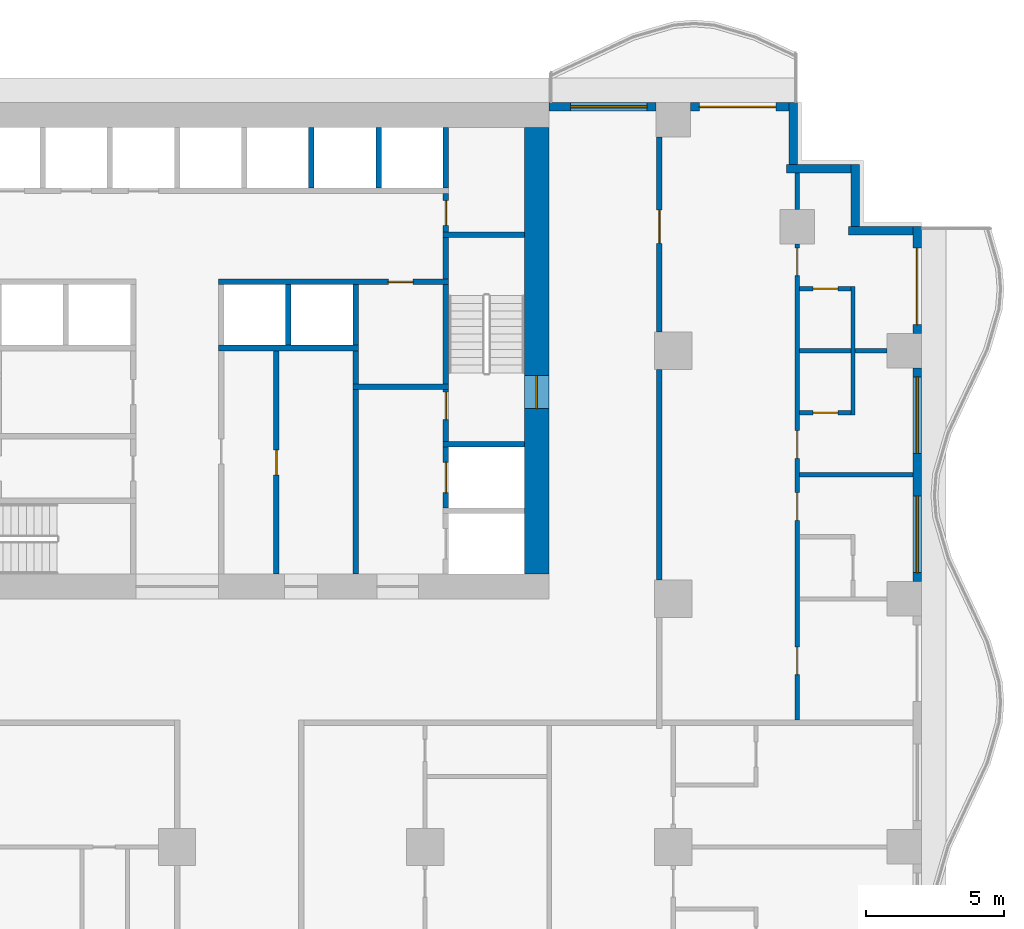
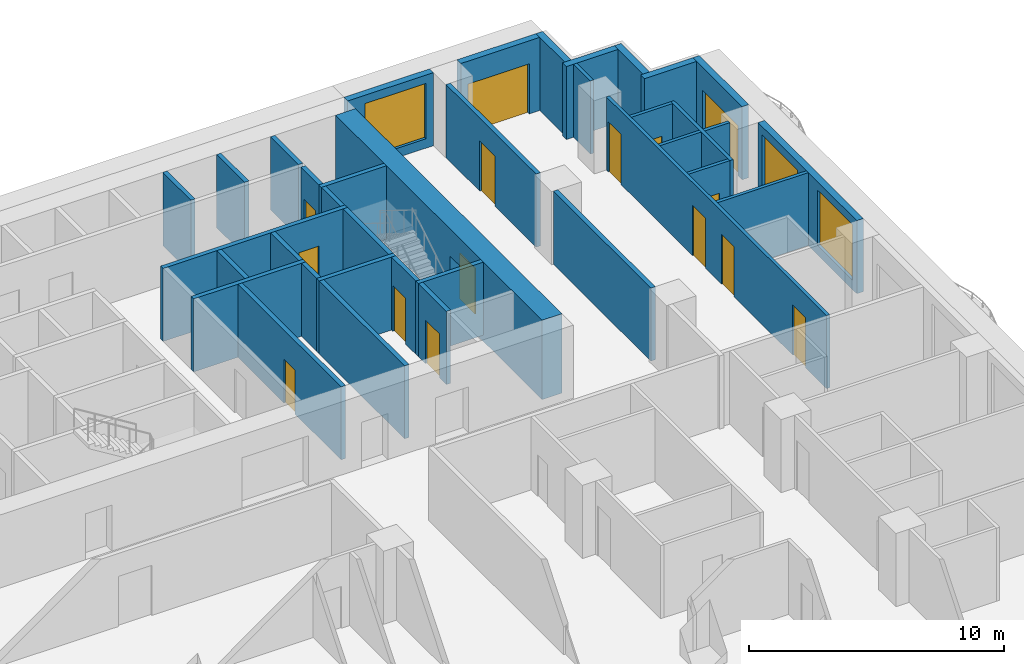
# One storey, part 6 of 14: 37 walls, 15 doors, 3 windows, 18 openings.
"""IFC4 building model written with IfcOpenShell, lengths in metres."""

from ifc_helpers import new_model, si_unit, direction, frame, frame_2d, origin, place, context, subcontext, project, spatial, rectangle, extrude, material, layer, layer_set, type_object, element, fill, save


model = new_model("IFC4")

# Units and contexts
model_context = context("Model", 3, precision=1e-05, world=origin(), true_north=direction((0.0, 1.0)))
body_context = subcontext(model_context, "Body", "Model", "MODEL_VIEW")
ifc_project = project(units=[si_unit("LENGTHUNIT", "METRE"), si_unit("AREAUNIT", "SQUARE_METRE"), si_unit("VOLUMEUNIT", "CUBIC_METRE"), si_unit("PLANEANGLEUNIT", "RADIAN"), si_unit("MASSUNIT", "GRAM", prefix="KILO")], contexts=[model_context])

# Site, building, storey
site_placement = place(None, origin())
site = spatial("IfcSite", under=ifc_project, at=site_placement, CompositionType="ELEMENT")
building_placement = place(site_placement, origin())
building = spatial("IfcBuilding", under=site, at=building_placement, Name="Orbiselva Terraces", CompositionType="ELEMENT")
storey_placement = place(building_placement, frame((0.0, 0.0, 107.4)))
storey = spatial("IfcBuildingStorey", under=building, at=storey_placement, Name="L27", CompositionType="ELEMENT", Elevation=107.4)

# Wall, opening, door
ifc_material_1 = material(Name="Concrete C80/95", Category="concrete")
ifc_layer_1 = layer(ifc_material_1, 0.9)
ifc_layer_set_1 = layer_set([ifc_layer_1], Name="Concrete C80/95")
wall_type_1 = type_object("IfcWallType", Name="CORE WALL 900", PredefinedType="SHEAR", material=ifc_layer_set_1)
wall_1_placement = place(storey_placement, frame((13.05, 5.4, -0.3), z_axis=(0.0, 0.0, 1.0), x_axis=(0.0, 1.0, 0.0)))
wall_1 = element("IfcWall", 1, at=wall_1_placement, inside=storey, type_object=wall_type_1, Name="Core wall L27 east", PredefinedType="SHEAR", context=body_context, shape_type="SweptSolid", body=[
    extrude(rectangle(XDim=16.2, YDim=0.9, at=frame_2d((8.1, 0.0))), origin(), (0.0, 0.0, 1.0), 3.8),
])
opening_1_placement = place(wall_1_placement, frame((6.0, 0.0, 0.3)))
opening_1 = element("IfcOpeningElement", 2, at=opening_1_placement, cuts=wall_1, Name="Opening DS1200", PredefinedType="OPENING", context=body_context, shape_type="SweptSolid", body=[
    extrude(rectangle(XDim=1.2, YDim=2.2, at=frame_2d((0.6, 1.1))), frame((0.0, 0.46, 0.0), z_axis=(0.0, -1.0, 0.0), x_axis=(1.0, 0.0, 0.0)), (0.0, 0.0, 1.0), 0.92),
])
ifc_material_2 = material(Name="Steel fire door", Category="steel")
door_type_1 = type_object("IfcDoorType", Name="STAIR DOOR 1200", OperationType="NOTDEFINED", PredefinedType="DOOR", material=ifc_material_2)
door_1_placement = place(opening_1_placement, frame((1.2, 0.0, 0.0), z_axis=(0.0, 0.0, 1.0), x_axis=(-1.0, 0.0, 0.0)))
door_1 = element("IfcDoor", 3, at=door_1_placement, inside=storey, type_object=door_type_1, Name="L27 EXIT STAIR S2 door", OperationType="SINGLE_SWING_LEFT", OverallHeight=2.2, OverallWidth=1.2, PredefinedType="DOOR", context=body_context, shape_type="SweptSolid", body=[
    extrude(rectangle(XDim=1.2, YDim=2.2, at=frame_2d((0.6, 1.1))), frame((0.0, 0.025, 0.0), z_axis=(0.0, -1.0, 0.0), x_axis=(1.0, 0.0, 0.0)), (0.0, 0.0, 1.0), 0.05),
])
fill(opening_1, door_1)

ifc_material_3 = material(Name="Masonry blockwork", Category="masonry")
ifc_layer_2 = layer(ifc_material_3, 0.2)
ifc_layer_set_2 = layer_set([ifc_layer_2], Name="Masonry blockwork")
wall_type_2 = type_object("IfcWallType", Name="CORE-WALL-PARTITION-200", PredefinedType="PARTITIONING", material=ifc_layer_set_2)
wall_2_placement = place(storey_placement, frame((3.6, 13.5, 0.0), z_axis=(0.0, 0.0, 1.0), x_axis=(0.0, -1.0, 0.0)))
wall_2 = element("IfcWall", 4, at=wall_2_placement, inside=storey, type_object=wall_type_2, Name="L27 core wall 34", PredefinedType="PARTITIONING", context=body_context, shape_type="SweptSolid", body=[
    extrude(rectangle(XDim=8.1, YDim=0.2, at=frame_2d((4.05, 0.0))), origin(), (0.0, 0.0, 1.0), 3.5),
])
opening_2_placement = place(wall_2_placement, frame((3.6, 0.0, 0.0)))
opening_2 = element("IfcOpeningElement", 5, at=opening_2_placement, cuts=wall_2, Name="Opening DR900", PredefinedType="OPENING", context=body_context, shape_type="SweptSolid", body=[
    extrude(rectangle(XDim=0.9, YDim=2.1, at=frame_2d((0.45, 1.05))), frame((0.0, 0.11, 0.0), z_axis=(0.0, -1.0, 0.0), x_axis=(1.0, 0.0, 0.0)), (0.0, 0.0, 1.0), 0.22),
])
door_type_2 = type_object("IfcDoorType", Name="ROOM DOOR 900", OperationType="NOTDEFINED", PredefinedType="DOOR", material=ifc_material_2)
door_2_placement = place(opening_2_placement, origin())
door_2 = element("IfcDoor", 6, at=door_2_placement, inside=storey, type_object=door_type_2, Name="L27 SERVICE ROOM door", OperationType="SINGLE_SWING_RIGHT", OverallHeight=2.1, OverallWidth=0.9, PredefinedType="DOOR", context=body_context, shape_type="SweptSolid", body=[
    extrude(rectangle(XDim=0.9, YDim=2.1, at=frame_2d((0.45, 1.05))), frame((0.0, 0.025, 0.0), z_axis=(0.0, -1.0, 0.0), x_axis=(1.0, 0.0, 0.0)), (0.0, 0.0, 1.0), 0.05),
])
fill(opening_2, door_2)

# Wall
wall_3_placement = place(storey_placement, frame((6.475, 12.3, 0.0), z_axis=(0.0, 0.0, 1.0), x_axis=(0.0, 1.0, 0.0)))
element("IfcWall", 7, at=wall_3_placement, inside=storey, type_object=wall_type_2, Name="L27 core wall 39", PredefinedType="PARTITIONING", context=body_context, shape_type="SweptSolid", body=[
    extrude(rectangle(XDim=1.2, YDim=0.2, at=frame_2d((0.6, 0.0))), origin(), (0.0, 0.0, 1.0), 3.5),
])

# Wall, opening, door
wall_4_placement = place(storey_placement, frame((9.75, 19.2, 0.0), z_axis=(0.0, 0.0, 1.0), x_axis=(0.0, -1.0, 0.0)))
wall_4 = element("IfcWall", 8, at=wall_4_placement, inside=storey, type_object=wall_type_2, Name="L27 core wall 50", PredefinedType="PARTITIONING", context=body_context, shape_type="SweptSolid", body=[
    extrude(rectangle(XDim=1.4, YDim=0.2, at=frame_2d((0.7, 0.0))), origin(), (0.0, 0.0, 1.0), 3.5),
])
opening_3_placement = place(wall_4_placement, frame((0.25, 0.0, 0.0)))
opening_3 = element("IfcOpeningElement", 9, at=opening_3_placement, cuts=wall_4, Name="Opening DR900", PredefinedType="OPENING", context=body_context, shape_type="SweptSolid", body=[
    extrude(rectangle(XDim=0.9, YDim=2.1, at=frame_2d((0.45, 1.05))), frame((0.0, 0.11, 0.0), z_axis=(0.0, -1.0, 0.0), x_axis=(1.0, 0.0, 0.0)), (0.0, 0.0, 1.0), 0.22),
])
door_3_placement = place(opening_3_placement, origin())
door_3 = element("IfcDoor", 10, at=door_3_placement, inside=storey, type_object=door_type_2, Name="L27 COMMS RISER ROOM door", OperationType="SINGLE_SWING_RIGHT", OverallHeight=2.1, OverallWidth=0.9, PredefinedType="DOOR", context=body_context, shape_type="SweptSolid", body=[
    extrude(rectangle(XDim=0.9, YDim=2.1, at=frame_2d((0.45, 1.05))), frame((0.0, 0.025, 0.0), z_axis=(0.0, -1.0, 0.0), x_axis=(1.0, 0.0, 0.0)), (0.0, 0.0, 1.0), 0.05),
])
fill(opening_3, door_3)

# Walls
ifc_material_4 = material(Name="Concrete C40/50", Category="concrete")
ifc_layer_3 = layer(ifc_material_4, 0.2)
ifc_layer_set_3 = layer_set([ifc_layer_3], Name="Concrete C40/50")
wall_type_3 = type_object("IfcWallType", Name="CORE-WALL-SHAFT-200", PredefinedType="PARTITIONING", material=ifc_layer_set_3)
for number, where, z_axis, x_axis, name in (
    (11, (4.0375, 13.7, 0.0), (0.0, 0.0, 1.0), (0.0, 1.0, 0.0), "L27 core wall 35"),
    (12, (4.875, 19.4, 0.0), (0.0, 0.0, 1.0), (0.0, 1.0, 0.0), "L27 core wall 36"),
    (13, (6.475, 13.7, 0.0), (0.0, 0.0, 1.0), (0.0, 1.0, 0.0), "L27 core wall 40"),
    (14, (7.3125, 19.4, 0.0), (0.0, 0.0, 1.0), (0.0, 1.0, 0.0), "L27 core wall 41"),
    (15, (9.75, 19.4, 0.0), (0.0, 0.0, 1.0), (0.0, 1.0, 0.0), "L27 core wall 51"),
):
    element("IfcWall", number, at=place(storey_placement, frame(where, z_axis=z_axis, x_axis=x_axis)), inside=storey, type_object=wall_type_3, Name=name, PredefinedType="PARTITIONING", context=body_context, shape_type="SweptSolid", body=[
        extrude(rectangle(XDim=2.2, YDim=0.2, at=frame_2d((1.1, 0.0))), origin(), (0.0, 0.0, 1.0), 3.5),
    ])
ifc_material_5 = material(Name="Concrete C60/75", Category="concrete")
ifc_layer_4 = layer(ifc_material_5, 0.2)
ifc_layer_set_4 = layer_set([ifc_layer_4], Name="Concrete C60/75")
wall_type_4 = type_object("IfcWallType", Name="CORE-WALL-SHEAR-200", PredefinedType="SHEAR", material=ifc_layer_set_4)
wall_5_placement = place(storey_placement, frame((1.5, 13.6, 0.0), z_axis=(0.0, 0.0, 1.0), x_axis=(1.0, 0.0, 0.0)))
element("IfcWall", 16, at=wall_5_placement, inside=storey, type_object=wall_type_4, Name="L27 core wall 30", PredefinedType="SHEAR", context=body_context, shape_type="SweptSolid", body=[
    extrude(rectangle(XDim=5.075, YDim=0.2, at=frame_2d((2.5375, 0.0))), origin(), (0.0, 0.0, 1.0), 3.5),
])

# Wall, opening, door
wall_6_placement = place(storey_placement, frame((9.85, 16.0, 0.0), z_axis=(0.0, 0.0, 1.0), x_axis=(-1.0, 0.0, 0.0)))
wall_6 = element("IfcWall", 17, at=wall_6_placement, inside=storey, type_object=wall_type_4, Name="L27 core wall 32", PredefinedType="SHEAR", context=body_context, shape_type="SweptSolid", body=[
    extrude(rectangle(XDim=8.35, YDim=0.2, at=frame_2d((4.175, 0.0))), origin(), (0.0, 0.0, 1.0), 3.5),
])
opening_4_placement = place(wall_6_placement, frame((1.2875, 0.0, 0.0)))
opening_4 = element("IfcOpeningElement", 18, at=opening_4_placement, cuts=wall_6, Name="Opening DR900", PredefinedType="OPENING", context=body_context, shape_type="SweptSolid", body=[
    extrude(rectangle(XDim=0.9, YDim=2.1, at=frame_2d((0.45, 1.05))), frame((0.0, 0.11, 0.0), z_axis=(0.0, -1.0, 0.0), x_axis=(1.0, 0.0, 0.0)), (0.0, 0.0, 1.0), 0.22),
])
door_4_placement = place(opening_4_placement, origin())
door_4 = element("IfcDoor", 19, at=door_4_placement, inside=storey, type_object=door_type_2, Name="L27 PIPE RISER ROOM door", OperationType="SINGLE_SWING_LEFT", OverallHeight=2.1, OverallWidth=0.9, PredefinedType="DOOR", context=body_context, shape_type="SweptSolid", body=[
    extrude(rectangle(XDim=0.9, YDim=2.1, at=frame_2d((0.45, 1.05))), frame((0.0, 0.025, 0.0), z_axis=(0.0, -1.0, 0.0), x_axis=(1.0, 0.0, 0.0)), (0.0, 0.0, 1.0), 0.05),
])
fill(opening_4, door_4)

# Walls
wall_7_placement = place(storey_placement, frame((6.475, 5.4, 0.0), z_axis=(0.0, 0.0, 1.0), x_axis=(0.0, 1.0, 0.0)))
element("IfcWall", 20, at=wall_7_placement, inside=storey, type_object=wall_type_4, Name="L27 core wall 37", PredefinedType="SHEAR", context=body_context, shape_type="SweptSolid", body=[
    extrude(rectangle(XDim=6.7, YDim=0.2, at=frame_2d((3.35, 0.0))), origin(), (0.0, 0.0, 1.0), 3.5),
])
wall_8_placement = place(storey_placement, frame((6.375, 12.2, 0.0), z_axis=(0.0, 0.0, 1.0), x_axis=(1.0, 0.0, 0.0)))
element("IfcWall", 21, at=wall_8_placement, inside=storey, type_object=wall_type_4, Name="L27 core wall 38", PredefinedType="SHEAR", context=body_context, shape_type="SweptSolid", body=[
    extrude(rectangle(XDim=3.475, YDim=0.2, at=frame_2d((1.7375, 0.0))), origin(), (0.0, 0.0, 1.0), 3.5),
])

# Wall, opening, door
wall_9_placement = place(storey_placement, frame((9.75, 7.8, 0.0), z_axis=(0.0, 0.0, 1.0), x_axis=(0.0, 1.0, 0.0)))
wall_9 = element("IfcWall", 22, at=wall_9_placement, inside=storey, type_object=wall_type_4, Name="L27 core wall 44", PredefinedType="SHEAR", context=body_context, shape_type="SweptSolid", body=[
    extrude(rectangle(XDim=2.2, YDim=0.2, at=frame_2d((1.1, 0.0))), origin(), (0.0, 0.0, 1.0), 3.5),
])
opening_5_placement = place(wall_9_placement, frame((0.55, 0.0, 0.0)))
opening_5 = element("IfcOpeningElement", 23, at=opening_5_placement, cuts=wall_9, Name="Opening LD-FF2", PredefinedType="OPENING", context=body_context, shape_type="SweptSolid", body=[
    extrude(rectangle(XDim=1.1, YDim=2.1, at=frame_2d((0.55, 1.05))), frame((0.0, 0.11, 0.0), z_axis=(0.0, -1.0, 0.0), x_axis=(1.0, 0.0, 0.0)), (0.0, 0.0, 1.0), 0.22),
])
ifc_material_6 = material(Name="Stainless steel landing door", Category="steel")
door_type_3 = type_object("IfcDoorType", Name="LANDING DOOR 1100", OperationType="SLIDING_TO_LEFT", PredefinedType="DOOR", material=ifc_material_6)
door_5_placement = place(opening_5_placement, origin())
door_5 = element("IfcDoor", 24, at=door_5_placement, inside=storey, type_object=door_type_3, Name="L27 landing door FF2", OperationType="SLIDING_TO_RIGHT", OverallHeight=2.1, OverallWidth=1.1, PredefinedType="DOOR", context=body_context, shape_type="SweptSolid", body=[
    extrude(rectangle(XDim=1.1, YDim=2.1, at=frame_2d((0.55, 1.05))), frame((0.0, 0.025, 0.0), z_axis=(0.0, -1.0, 0.0), x_axis=(1.0, 0.0, 0.0)), (0.0, 0.0, 1.0), 0.05),
])
fill(opening_5, door_5)

# Wall
wall_10_placement = place(storey_placement, frame((9.65, 10.1, 0.0), z_axis=(0.0, 0.0, 1.0), x_axis=(1.0, 0.0, 0.0)))
element("IfcWall", 25, at=wall_10_placement, inside=storey, type_object=wall_type_4, Name="L27 core wall 45", PredefinedType="SHEAR", context=body_context, shape_type="SweptSolid", body=[
    extrude(rectangle(XDim=2.95, YDim=0.2, at=frame_2d((1.475, 0.0))), origin(), (0.0, 0.0, 1.0), 3.5),
])

# Wall, opening, door
wall_11_placement = place(storey_placement, frame((9.75, 12.1, 0.0), z_axis=(0.0, 0.0, 1.0), x_axis=(0.0, -1.0, 0.0)))
wall_11 = element("IfcWall", 26, at=wall_11_placement, inside=storey, type_object=wall_type_4, Name="L27 core wall 46", PredefinedType="SHEAR", context=body_context, shape_type="SweptSolid", body=[
    extrude(rectangle(XDim=1.9, YDim=0.2, at=frame_2d((0.95, 0.0))), origin(), (0.0, 0.0, 1.0), 3.5),
])
opening_6_placement = place(wall_11_placement, frame((0.1, 0.0, 0.0)))
opening_6 = element("IfcOpeningElement", 27, at=opening_6_placement, cuts=wall_11, Name="Opening DS1000", PredefinedType="OPENING", context=body_context, shape_type="SweptSolid", body=[
    extrude(rectangle(XDim=1.0, YDim=2.2, at=frame_2d((0.5, 1.1))), frame((0.0, 0.11, 0.0), z_axis=(0.0, -1.0, 0.0), x_axis=(1.0, 0.0, 0.0)), (0.0, 0.0, 1.0), 0.22),
])
door_type_4 = type_object("IfcDoorType", Name="STAIR DOOR 1000", OperationType="NOTDEFINED", PredefinedType="DOOR", material=ifc_material_2)
door_6_placement = place(opening_6_placement, origin())
door_6 = element("IfcDoor", 28, at=door_6_placement, inside=storey, type_object=door_type_4, Name="L27 FIRE-FIGHTING LOBBY TO EXIT STAIR S2 door", OperationType="SINGLE_SWING_LEFT", OverallHeight=2.2, OverallWidth=1.0, PredefinedType="DOOR", context=body_context, shape_type="SweptSolid", body=[
    extrude(rectangle(XDim=1.0, YDim=2.2, at=frame_2d((0.5, 1.1))), frame((0.0, 0.025, 0.0), z_axis=(0.0, -1.0, 0.0), x_axis=(1.0, 0.0, 0.0)), (0.0, 0.0, 1.0), 0.05),
])
fill(opening_6, door_6)

# Walls
wall_12_placement = place(storey_placement, frame((9.75, 12.3, 0.0), z_axis=(0.0, 0.0, 1.0), x_axis=(0.0, 1.0, 0.0)))
element("IfcWall", 29, at=wall_12_placement, inside=storey, type_object=wall_type_4, Name="L27 core wall 47", PredefinedType="SHEAR", context=body_context, shape_type="SweptSolid", body=[
    extrude(rectangle(XDim=3.6, YDim=0.2, at=frame_2d((1.8, 0.0))), origin(), (0.0, 0.0, 1.0), 3.5),
])
wall_13_placement = place(storey_placement, frame((9.75, 16.1, 0.0), z_axis=(0.0, 0.0, 1.0), x_axis=(0.0, 1.0, 0.0)))
element("IfcWall", 30, at=wall_13_placement, inside=storey, type_object=wall_type_4, Name="L27 core wall 48", PredefinedType="SHEAR", context=body_context, shape_type="SweptSolid", body=[
    extrude(rectangle(XDim=1.5, YDim=0.2, at=frame_2d((0.75, 0.0))), origin(), (0.0, 0.0, 1.0), 3.5),
])
wall_14_placement = place(storey_placement, frame((9.65, 17.7, 0.0), z_axis=(0.0, 0.0, 1.0), x_axis=(1.0, 0.0, 0.0)))
element("IfcWall", 31, at=wall_14_placement, inside=storey, type_object=wall_type_4, Name="L27 core wall 49", PredefinedType="SHEAR", context=body_context, shape_type="SweptSolid", body=[
    extrude(rectangle(XDim=2.95, YDim=0.2, at=frame_2d((1.475, 0.0))), origin(), (0.0, 0.0, 1.0), 3.5),
])

# Wall, openings, windows
ifc_material_7 = material(Name="Terracotta cladding on masonry backing", Category="masonry")
ifc_layer_5 = layer(ifc_material_7, 0.3)
ifc_layer_set_5 = layer_set([ifc_layer_5], Name="Terracotta cladding on masonry backing")
wall_type_5 = type_object("IfcWallType", Name="ENV-WALL-TERRACOTTA-300", PredefinedType="SOLIDWALL", material=ifc_layer_set_5)
wall_15_placement = place(storey_placement, frame((26.85, 12.875, 0.0), z_axis=(0.0, 0.0, 1.0), x_axis=(0.0, -1.0, 0.0)))
wall_15 = element("IfcWall", 32, at=wall_15_placement, inside=storey, type_object=wall_type_5, Name="Facade wall L27 E", PredefinedType="SOLIDWALL", context=body_context, shape_type="SweptSolid", body=[
    extrude(rectangle(XDim=7.75, YDim=0.3, at=frame_2d((3.875, 0.0))), origin(), (0.0, 0.0, 1.0), 3.5),
])
opening_7_placement = place(wall_15_placement, frame((4.65, 0.0, 0.45)))
opening_7 = element("IfcOpeningElement", 33, at=opening_7_placement, cuts=wall_15, Name="Opening WN6", PredefinedType="OPENING", context=body_context, shape_type="SweptSolid", body=[
    extrude(rectangle(XDim=2.775, YDim=2.65, at=frame_2d((1.3875, 1.325))), frame((0.0, 0.16, 0.0), z_axis=(0.0, -1.0, 0.0), x_axis=(1.0, 0.0, 0.0)), (0.0, 0.0, 1.0), 0.32),
])
opening_8_placement = place(wall_15_placement, frame((0.325, 0.0, 0.45)))
opening_8 = element("IfcOpeningElement", 34, at=opening_8_placement, cuts=wall_15, Name="Opening WN6", PredefinedType="OPENING", context=body_context, shape_type="SweptSolid", body=[
    extrude(rectangle(XDim=2.775, YDim=2.65, at=frame_2d((1.3875, 1.325))), frame((0.0, 0.16, 0.0), z_axis=(0.0, -1.0, 0.0), x_axis=(1.0, 0.0, 0.0)), (0.0, 0.0, 1.0), 0.32),
])
ifc_material_8 = material(Name="Clear low-e glazing in aluminium frame", Category="aluminium")
window_type = type_object("IfcWindowType", Name="WINDOW 2775 X 2650 S450", PartitioningType="TRIPLE_PANEL_VERTICAL", PredefinedType="WINDOW", material=ifc_material_8)
window_1_placement = place(opening_7_placement, origin())
window_1 = element("IfcWindow", 35, at=window_1_placement, inside=storey, type_object=window_type, Name="Window L27 E", OverallHeight=2.65, OverallWidth=2.775, PartitioningType="SINGLE_PANEL", PredefinedType="WINDOW", context=body_context, shape_type="SweptSolid", body=[
    extrude(rectangle(XDim=2.775, YDim=2.65, at=frame_2d((1.3875, 1.325))), frame((0.0, 0.03, 0.0), z_axis=(0.0, -1.0, 0.0), x_axis=(1.0, 0.0, 0.0)), (0.0, 0.0, 1.0), 0.06),
])
fill(opening_7, window_1)
window_2_placement = place(opening_8_placement, origin())
window_2 = element("IfcWindow", 36, at=window_2_placement, inside=storey, type_object=window_type, Name="Window L27 E", OverallHeight=2.65, OverallWidth=2.775, PartitioningType="SINGLE_PANEL", PredefinedType="WINDOW", context=body_context, shape_type="SweptSolid", body=[
    extrude(rectangle(XDim=2.775, YDim=2.65, at=frame_2d((1.3875, 1.325))), frame((0.0, 0.03, 0.0), z_axis=(0.0, -1.0, 0.0), x_axis=(1.0, 0.0, 0.0)), (0.0, 0.0, 1.0), 0.06),
])
fill(opening_8, window_2)

# Wall, opening, door
wall_16_placement = place(storey_placement, frame((26.85, 18.0, 0.0), z_axis=(0.0, 0.0, 1.0), x_axis=(0.0, -1.0, 0.0)))
wall_16 = element("IfcWall", 37, at=wall_16_placement, inside=storey, type_object=wall_type_5, Name="Facade wall L27 E", PredefinedType="SOLIDWALL", context=body_context, shape_type="SweptSolid", body=[
    extrude(rectangle(XDim=3.875, YDim=0.3, at=frame_2d((1.9375, 0.0))), origin(), (0.0, 0.0, 1.0), 3.5),
])
opening_9_placement = place(wall_16_placement, frame((0.775, 0.0, 0.0)))
opening_9 = element("IfcOpeningElement", 38, at=opening_9_placement, cuts=wall_16, Name="Opening Z2-D-E07", PredefinedType="OPENING", context=body_context, shape_type="SweptSolid", body=[
    extrude(rectangle(XDim=2.775, YDim=2.4, at=frame_2d((1.3875, 1.2))), frame((0.0, 0.16, 0.0), z_axis=(0.0, -1.0, 0.0), x_axis=(1.0, 0.0, 0.0)), (0.0, 0.0, 1.0), 0.32),
])
door_type_5 = type_object("IfcDoorType", Name="BALCONY DOOR 2775 X 2400", OperationType="DOUBLE_DOOR_SLIDING", PredefinedType="DOOR", material=ifc_material_8)
door_7_placement = place(opening_9_placement, origin())
door_7 = element("IfcDoor", 39, at=door_7_placement, inside=storey, type_object=door_type_5, Name="Z2-D-E07", OperationType="SINGLE_SWING_LEFT", OverallHeight=2.4, OverallWidth=2.775, PredefinedType="DOOR", context=body_context, shape_type="SweptSolid", body=[
    extrude(rectangle(XDim=2.775, YDim=2.4, at=frame_2d((1.3875, 1.2))), frame((0.0, 0.025, 0.0), z_axis=(0.0, -1.0, 0.0), x_axis=(1.0, 0.0, 0.0)), (0.0, 0.0, 1.0), 0.05),
])
fill(opening_9, door_7)

# Walls
wall_17_placement = place(storey_placement, frame((24.35, 17.85, 0.0), z_axis=(0.0, 0.0, 1.0), x_axis=(1.0, 0.0, 0.0)))
element("IfcWall", 40, at=wall_17_placement, inside=storey, type_object=wall_type_5, Name="Facade wall L27 STEP", PredefinedType="SOLIDWALL", context=body_context, shape_type="SweptSolid", body=[
    extrude(rectangle(XDim=2.35, YDim=0.3, at=frame_2d((1.175, 0.0))), origin(), (0.0, 0.0, 1.0), 3.5),
])
wall_18_placement = place(storey_placement, frame((24.6, 20.25, 0.0), z_axis=(0.0, 0.0, 1.0), x_axis=(0.0, -1.0, 0.0)))
element("IfcWall", 41, at=wall_18_placement, inside=storey, type_object=wall_type_5, Name="Facade wall L27 STEP", PredefinedType="SOLIDWALL", context=body_context, shape_type="SweptSolid", body=[
    extrude(rectangle(XDim=2.25, YDim=0.3, at=frame_2d((1.125, 0.0))), origin(), (0.0, 0.0, 1.0), 3.5),
])
wall_19_placement = place(storey_placement, frame((22.1, 20.1, 0.0), z_axis=(0.0, 0.0, 1.0), x_axis=(1.0, 0.0, 0.0)))
element("IfcWall", 42, at=wall_19_placement, inside=storey, type_object=wall_type_5, Name="Facade wall L27 STEP", PredefinedType="SOLIDWALL", context=body_context, shape_type="SweptSolid", body=[
    extrude(rectangle(XDim=2.35, YDim=0.3, at=frame_2d((1.175, 0.0))), origin(), (0.0, 0.0, 1.0), 3.5),
])
wall_20_placement = place(storey_placement, frame((22.35, 22.5, 0.0), z_axis=(0.0, 0.0, 1.0), x_axis=(0.0, -1.0, 0.0)))
element("IfcWall", 43, at=wall_20_placement, inside=storey, type_object=wall_type_5, Name="Facade wall L27 STEP", PredefinedType="SOLIDWALL", context=body_context, shape_type="SweptSolid", body=[
    extrude(rectangle(XDim=2.25, YDim=0.3, at=frame_2d((1.125, 0.0))), origin(), (0.0, 0.0, 1.0), 3.5),
])

# Wall, opening, door
wall_21_placement = place(storey_placement, frame((18.625, 22.35, 0.0), z_axis=(0.0, 0.0, 1.0), x_axis=(1.0, 0.0, 0.0)))
wall_21 = element("IfcWall", 44, at=wall_21_placement, inside=storey, type_object=wall_type_5, Name="Facade wall L27 NE", PredefinedType="SOLIDWALL", context=body_context, shape_type="SweptSolid", body=[
    extrude(rectangle(XDim=3.575, YDim=0.3, at=frame_2d((1.7875, 0.0))), origin(), (0.0, 0.0, 1.0), 3.5),
])
opening_10_placement = place(wall_21_placement, frame((0.325, 0.0, 0.0)))
opening_10 = element("IfcOpeningElement", 45, at=opening_10_placement, cuts=wall_21, Name="Opening Z2-D-E15", PredefinedType="OPENING", context=body_context, shape_type="SweptSolid", body=[
    extrude(rectangle(XDim=2.775, YDim=2.4, at=frame_2d((1.3875, 1.2))), frame((0.0, 0.16, 0.0), z_axis=(0.0, -1.0, 0.0), x_axis=(1.0, 0.0, 0.0)), (0.0, 0.0, 1.0), 0.32),
])
door_8_placement = place(opening_10_placement, origin())
door_8 = element("IfcDoor", 46, at=door_8_placement, inside=storey, type_object=door_type_5, Name="Z2-D-E15", OperationType="SINGLE_SWING_LEFT", OverallHeight=2.4, OverallWidth=2.775, PredefinedType="DOOR", context=body_context, shape_type="SweptSolid", body=[
    extrude(rectangle(XDim=2.775, YDim=2.4, at=frame_2d((1.3875, 1.2))), frame((0.0, 0.025, 0.0), z_axis=(0.0, -1.0, 0.0), x_axis=(1.0, 0.0, 0.0)), (0.0, 0.0, 1.0), 0.05),
])
fill(opening_10, door_8)

# Wall, opening, window
wall_22_placement = place(storey_placement, frame((13.5, 22.35, 0.0), z_axis=(0.0, 0.0, 1.0), x_axis=(1.0, 0.0, 0.0)))
wall_22 = element("IfcWall", 47, at=wall_22_placement, inside=storey, type_object=wall_type_5, Name="Facade wall L27 NE", PredefinedType="SOLIDWALL", context=body_context, shape_type="SweptSolid", body=[
    extrude(rectangle(XDim=3.875, YDim=0.3, at=frame_2d((1.9375, 0.0))), origin(), (0.0, 0.0, 1.0), 3.5),
])
opening_11_placement = place(wall_22_placement, frame((0.775, 0.0, 0.45)))
opening_11 = element("IfcOpeningElement", 48, at=opening_11_placement, cuts=wall_22, Name="Opening WN6", PredefinedType="OPENING", context=body_context, shape_type="SweptSolid", body=[
    extrude(rectangle(XDim=2.775, YDim=2.65, at=frame_2d((1.3875, 1.325))), frame((0.0, 0.16, 0.0), z_axis=(0.0, -1.0, 0.0), x_axis=(1.0, 0.0, 0.0)), (0.0, 0.0, 1.0), 0.32),
])
window_3_placement = place(opening_11_placement, origin())
window_3 = element("IfcWindow", 49, at=window_3_placement, inside=storey, type_object=window_type, Name="Window L27 NE", OverallHeight=2.65, OverallWidth=2.775, PartitioningType="SINGLE_PANEL", PredefinedType="WINDOW", context=body_context, shape_type="SweptSolid", body=[
    extrude(rectangle(XDim=2.775, YDim=2.65, at=frame_2d((1.3875, 1.325))), frame((0.0, 0.03, 0.0), z_axis=(0.0, -1.0, 0.0), x_axis=(1.0, 0.0, 0.0)), (0.0, 0.0, 1.0), 0.06),
])
fill(opening_11, window_3)

# Wall
ifc_material_9 = material(Name="Plasterboard on steel stud partition", Category="steel")
ifc_layer_6 = layer(ifc_material_9, 0.2)
ifc_layer_set_6 = layer_set([ifc_layer_6], Name="Plasterboard on steel stud partition")
wall_type_6 = type_object("IfcWallType", Name="UNIT-ENTRANCE-WALL-200", PredefinedType="PARTITIONING", material=ifc_layer_set_6)
wall_23_placement = place(storey_placement, frame((17.5, 5.175, 0.0), z_axis=(0.0, 0.0, 1.0), x_axis=(0.0, 1.0, 0.0)))
element("IfcWall", 50, at=wall_23_placement, inside=storey, type_object=wall_type_6, Name="PARTITION L27-080", PredefinedType="PARTITIONING", context=body_context, shape_type="SweptSolid", body=[
    extrude(rectangle(XDim=7.65, YDim=0.2, at=frame_2d((3.825, 0.0))), origin(), (0.0, 0.0, 1.0), 3.5),
])

# Wall, opening, door
wall_24_placement = place(storey_placement, frame((17.5, 21.25, 0.0), z_axis=(0.0, 0.0, 1.0), x_axis=(0.0, -1.0, 0.0)))
wall_24 = element("IfcWall", 51, at=wall_24_placement, inside=storey, type_object=wall_type_6, Name="PARTITION L27-081", PredefinedType="PARTITIONING", context=body_context, shape_type="SweptSolid", body=[
    extrude(rectangle(XDim=7.075, YDim=0.2, at=frame_2d((3.5375, 0.0))), origin(), (0.0, 0.0, 1.0), 3.5),
])
opening_12_placement = place(wall_24_placement, frame((2.65, 0.0, 0.0)))
opening_12 = element("IfcOpeningElement", 52, at=opening_12_placement, cuts=wall_24, Name="Opening Z2-D-07", PredefinedType="OPENING", context=body_context, shape_type="SweptSolid", body=[
    extrude(rectangle(XDim=1.2, YDim=2.4, at=frame_2d((0.6, 1.2))), frame((0.0, 0.11, 0.0), z_axis=(0.0, -1.0, 0.0), x_axis=(1.0, 0.0, 0.0)), (0.0, 0.0, 1.0), 0.22),
])
ifc_material_10 = material(Name="Painted timber door leaf", Category="wood")
door_type_6 = type_object("IfcDoorType", Name="ENTRANCE DOOR 1200", OperationType="NOTDEFINED", PredefinedType="DOOR", material=ifc_material_10)
door_9_placement = place(opening_12_placement, origin())
door_9 = element("IfcDoor", 53, at=door_9_placement, inside=storey, type_object=door_type_6, Name="Z2-D-07", OperationType="SINGLE_SWING_LEFT", OverallHeight=2.4, OverallWidth=1.2, PredefinedType="DOOR", context=body_context, shape_type="SweptSolid", body=[
    extrude(rectangle(XDim=1.2, YDim=2.4, at=frame_2d((0.6, 1.2))), frame((0.0, 0.025, 0.0), z_axis=(0.0, -1.0, 0.0), x_axis=(1.0, 0.0, 0.0)), (0.0, 0.0, 1.0), 0.05),
])
fill(opening_12, door_9)

# Wall
ifc_layer_7 = layer(ifc_material_9, 0.15)
ifc_layer_set_7 = layer_set([ifc_layer_7], Name="Plasterboard on steel stud partition")
wall_type_7 = type_object("IfcWallType", Name="UNIT-PARTITION-150", PredefinedType="PARTITIONING", material=ifc_layer_set_7)
wall_25_placement = place(storey_placement, frame((22.575, 9.0, 0.0), z_axis=(0.0, 0.0, 1.0), x_axis=(1.0, 0.0, 0.0)))
element("IfcWall", 54, at=wall_25_placement, inside=storey, type_object=wall_type_7, Name="PARTITION L27-036", PredefinedType="PARTITIONING", context=body_context, shape_type="SweptSolid", body=[
    extrude(rectangle(XDim=4.125, YDim=0.15, at=frame_2d((2.0625, 0.0))), origin(), (0.0, 0.0, 1.0), 3.5),
])

# Wall, opening, door
wall_26_placement = place(storey_placement, frame((22.575, 11.25, 0.0), z_axis=(0.0, 0.0, 1.0), x_axis=(1.0, 0.0, 0.0)))
wall_26 = element("IfcWall", 55, at=wall_26_placement, inside=storey, type_object=wall_type_7, Name="PARTITION L27-038", PredefinedType="PARTITIONING", context=body_context, shape_type="SweptSolid", body=[
    extrude(rectangle(XDim=1.875, YDim=0.15, at=frame_2d((0.9375, 0.0))), origin(), (0.0, 0.0, 1.0), 3.5),
])
opening_13_placement = place(wall_26_placement, frame((0.5, 0.0, 0.0)))
opening_13 = element("IfcOpeningElement", 56, at=opening_13_placement, cuts=wall_26, Name="Opening Z2-D-12", PredefinedType="OPENING", context=body_context, shape_type="SweptSolid", body=[
    extrude(rectangle(XDim=0.9, YDim=2.1, at=frame_2d((0.45, 1.05))), frame((0.0, 0.085, 0.0), z_axis=(0.0, -1.0, 0.0), x_axis=(1.0, 0.0, 0.0)), (0.0, 0.0, 1.0), 0.17),
])
door_type_7 = type_object("IfcDoorType", Name="BATH DOOR 900", OperationType="NOTDEFINED", PredefinedType="DOOR", material=ifc_material_10)
door_10_placement = place(opening_13_placement, origin())
door_10 = element("IfcDoor", 57, at=door_10_placement, inside=storey, type_object=door_type_7, Name="Z2-D-12", OperationType="SINGLE_SWING_RIGHT", OverallHeight=2.1, OverallWidth=0.9, PredefinedType="DOOR", context=body_context, shape_type="SweptSolid", body=[
    extrude(rectangle(XDim=0.9, YDim=2.1, at=frame_2d((0.45, 1.05))), frame((0.0, 0.025, 0.0), z_axis=(0.0, -1.0, 0.0), x_axis=(1.0, 0.0, 0.0)), (0.0, 0.0, 1.0), 0.05),
])
fill(opening_13, door_10)

# Walls
wall_27_placement = place(storey_placement, frame((22.575, 13.5, 0.0), z_axis=(0.0, 0.0, 1.0), x_axis=(1.0, 0.0, 0.0)))
element("IfcWall", 58, at=wall_27_placement, inside=storey, type_object=wall_type_7, Name="PARTITION L27-041", PredefinedType="PARTITIONING", context=body_context, shape_type="SweptSolid", body=[
    extrude(rectangle(XDim=1.875, YDim=0.15, at=frame_2d((0.9375, 0.0))), origin(), (0.0, 0.0, 1.0), 3.5),
])
wall_28_placement = place(storey_placement, frame((24.6, 13.5, 0.0), z_axis=(0.0, 0.0, 1.0), x_axis=(1.0, 0.0, 0.0)))
element("IfcWall", 59, at=wall_28_placement, inside=storey, type_object=wall_type_7, Name="PARTITION L27-042", PredefinedType="PARTITIONING", context=body_context, shape_type="SweptSolid", body=[
    extrude(rectangle(XDim=1.15, YDim=0.15, at=frame_2d((0.575, 0.0))), origin(), (0.0, 0.0, 1.0), 3.5),
])

# Wall, opening, door
wall_29_placement = place(storey_placement, frame((24.45, 15.75, 0.0), z_axis=(0.0, 0.0, 1.0), x_axis=(-1.0, 0.0, 0.0)))
wall_29 = element("IfcWall", 60, at=wall_29_placement, inside=storey, type_object=wall_type_7, Name="PARTITION L27-044", PredefinedType="PARTITIONING", context=body_context, shape_type="SweptSolid", body=[
    extrude(rectangle(XDim=1.875, YDim=0.15, at=frame_2d((0.9375, 0.0))), origin(), (0.0, 0.0, 1.0), 3.5),
])
opening_14_placement = place(wall_29_placement, frame((0.475, 0.0, 0.0)))
opening_14 = element("IfcOpeningElement", 61, at=opening_14_placement, cuts=wall_29, Name="Opening Z2-D-14", PredefinedType="OPENING", context=body_context, shape_type="SweptSolid", body=[
    extrude(rectangle(XDim=0.9, YDim=2.1, at=frame_2d((0.45, 1.05))), frame((0.0, 0.085, 0.0), z_axis=(0.0, -1.0, 0.0), x_axis=(1.0, 0.0, 0.0)), (0.0, 0.0, 1.0), 0.17),
])
door_11_placement = place(opening_14_placement, origin())
door_11 = element("IfcDoor", 62, at=door_11_placement, inside=storey, type_object=door_type_7, Name="Z2-D-14", OperationType="SINGLE_SWING_LEFT", OverallHeight=2.1, OverallWidth=0.9, PredefinedType="DOOR", context=body_context, shape_type="SweptSolid", body=[
    extrude(rectangle(XDim=0.9, YDim=2.1, at=frame_2d((0.45, 1.05))), frame((0.0, 0.025, 0.0), z_axis=(0.0, -1.0, 0.0), x_axis=(1.0, 0.0, 0.0)), (0.0, 0.0, 1.0), 0.05),
])
fill(opening_14, door_11)

# Wall, openings, doors
wall_30_placement = place(storey_placement, frame((22.5, 17.375, 0.0), z_axis=(0.0, 0.0, 1.0), x_axis=(0.0, -1.0, 0.0)))
wall_30 = element("IfcWall", 63, at=wall_30_placement, inside=storey, type_object=wall_type_7, Name="PARTITION L27-088", PredefinedType="PARTITIONING", context=body_context, shape_type="SweptSolid", body=[
    extrude(rectangle(XDim=17.275, YDim=0.15, at=frame_2d((8.6375, 0.0))), origin(), (0.0, 0.0, 1.0), 3.5),
])
opening_15_placement = place(wall_30_placement, frame((14.625, 0.0, 0.0)))
opening_15 = element("IfcOpeningElement", 64, at=opening_15_placement, cuts=wall_30, Name="Opening Z2-D-08", PredefinedType="OPENING", context=body_context, shape_type="SweptSolid", body=[
    extrude(rectangle(XDim=1.0, YDim=2.4, at=frame_2d((0.5, 1.2))), frame((0.0, 0.085, 0.0), z_axis=(0.0, -1.0, 0.0), x_axis=(1.0, 0.0, 0.0)), (0.0, 0.0, 1.0), 0.17),
])
opening_16_placement = place(wall_30_placement, frame((9.025, 0.0, 0.0)))
opening_16 = element("IfcOpeningElement", 65, at=opening_16_placement, cuts=wall_30, Name="Opening Z2-D-09", PredefinedType="OPENING", context=body_context, shape_type="SweptSolid", body=[
    extrude(rectangle(XDim=1.0, YDim=2.4, at=frame_2d((0.5, 1.2))), frame((0.0, 0.085, 0.0), z_axis=(0.0, -1.0, 0.0), x_axis=(1.0, 0.0, 0.0)), (0.0, 0.0, 1.0), 0.17),
])
opening_17_placement = place(wall_30_placement, frame((6.775, 0.0, 0.0)))
opening_17 = element("IfcOpeningElement", 66, at=opening_17_placement, cuts=wall_30, Name="Opening Z2-D-11", PredefinedType="OPENING", context=body_context, shape_type="SweptSolid", body=[
    extrude(rectangle(XDim=1.0, YDim=2.4, at=frame_2d((0.5, 1.2))), frame((0.0, 0.085, 0.0), z_axis=(0.0, -1.0, 0.0), x_axis=(1.0, 0.0, 0.0)), (0.0, 0.0, 1.0), 0.17),
])
opening_18_placement = place(wall_30_placement, frame((0.15, 0.0, 0.0)))
opening_18 = element("IfcOpeningElement", 67, at=opening_18_placement, cuts=wall_30, Name="Opening Z2-D-13", PredefinedType="OPENING", context=body_context, shape_type="SweptSolid", body=[
    extrude(rectangle(XDim=1.0, YDim=2.4, at=frame_2d((0.5, 1.2))), frame((0.0, 0.085, 0.0), z_axis=(0.0, -1.0, 0.0), x_axis=(1.0, 0.0, 0.0)), (0.0, 0.0, 1.0), 0.17),
])
door_type_8 = type_object("IfcDoorType", Name="ROOM DOOR 1000", OperationType="NOTDEFINED", PredefinedType="DOOR", material=ifc_material_10)
door_12_placement = place(opening_15_placement, origin())
door_12 = element("IfcDoor", 68, at=door_12_placement, inside=storey, type_object=door_type_8, Name="Z2-D-08", OperationType="SINGLE_SWING_RIGHT", OverallHeight=2.4, OverallWidth=1.0, PredefinedType="DOOR", context=body_context, shape_type="SweptSolid", body=[
    extrude(rectangle(XDim=1.0, YDim=2.4, at=frame_2d((0.5, 1.2))), frame((0.0, 0.025, 0.0), z_axis=(0.0, -1.0, 0.0), x_axis=(1.0, 0.0, 0.0)), (0.0, 0.0, 1.0), 0.05),
])
fill(opening_15, door_12)
door_13_placement = place(opening_16_placement, origin())
door_13 = element("IfcDoor", 69, at=door_13_placement, inside=storey, type_object=door_type_8, Name="Z2-D-09", OperationType="SINGLE_SWING_RIGHT", OverallHeight=2.4, OverallWidth=1.0, PredefinedType="DOOR", context=body_context, shape_type="SweptSolid", body=[
    extrude(rectangle(XDim=1.0, YDim=2.4, at=frame_2d((0.5, 1.2))), frame((0.0, 0.025, 0.0), z_axis=(0.0, -1.0, 0.0), x_axis=(1.0, 0.0, 0.0)), (0.0, 0.0, 1.0), 0.05),
])
fill(opening_16, door_13)
door_14_placement = place(opening_17_placement, origin())
door_14 = element("IfcDoor", 70, at=door_14_placement, inside=storey, type_object=door_type_8, Name="Z2-D-11", OperationType="SINGLE_SWING_LEFT", OverallHeight=2.4, OverallWidth=1.0, PredefinedType="DOOR", context=body_context, shape_type="SweptSolid", body=[
    extrude(rectangle(XDim=1.0, YDim=2.4, at=frame_2d((0.5, 1.2))), frame((0.0, 0.025, 0.0), z_axis=(0.0, -1.0, 0.0), x_axis=(1.0, 0.0, 0.0)), (0.0, 0.0, 1.0), 0.05),
])
fill(opening_17, door_14)
door_15_placement = place(opening_18_placement, origin())
door_15 = element("IfcDoor", 71, at=door_15_placement, inside=storey, type_object=door_type_8, Name="Z2-D-13", OperationType="SINGLE_SWING_LEFT", OverallHeight=2.4, OverallWidth=1.0, PredefinedType="DOOR", context=body_context, shape_type="SweptSolid", body=[
    extrude(rectangle(XDim=1.0, YDim=2.4, at=frame_2d((0.5, 1.2))), frame((0.0, 0.025, 0.0), z_axis=(0.0, -1.0, 0.0), x_axis=(1.0, 0.0, 0.0)), (0.0, 0.0, 1.0), 0.05),
])
fill(opening_18, door_15)

# Walls
wall_31_placement = place(storey_placement, frame((22.5, 18.625, 0.0), z_axis=(0.0, 0.0, 1.0), x_axis=(0.0, 1.0, 0.0)))
element("IfcWall", 72, at=wall_31_placement, inside=storey, type_object=wall_type_7, Name="PARTITION L27-089", PredefinedType="PARTITIONING", context=body_context, shape_type="SweptSolid", body=[
    extrude(rectangle(XDim=1.325, YDim=0.15, at=frame_2d((0.6625, 0.0))), origin(), (0.0, 0.0, 1.0), 3.5),
])
wall_32_placement = place(storey_placement, frame((24.525, 11.175, 0.0), z_axis=(0.0, 0.0, 1.0), x_axis=(0.0, 1.0, 0.0)))
element("IfcWall", 73, at=wall_32_placement, inside=storey, type_object=wall_type_7, Name="PARTITION L27-091", PredefinedType="PARTITIONING", context=body_context, shape_type="SweptSolid", body=[
    extrude(rectangle(XDim=4.65, YDim=0.15, at=frame_2d((2.325, 0.0))), origin(), (0.0, 0.0, 1.0), 3.5),
])

save(model, "model.ifc")
